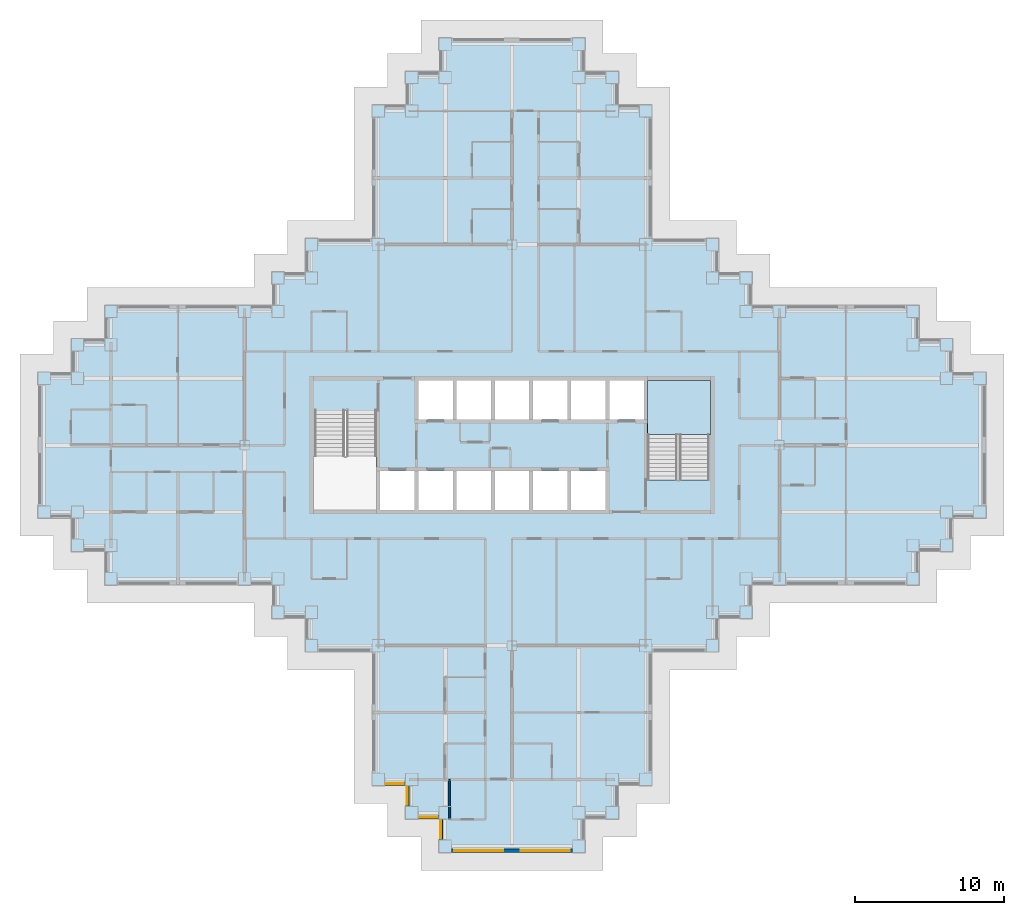
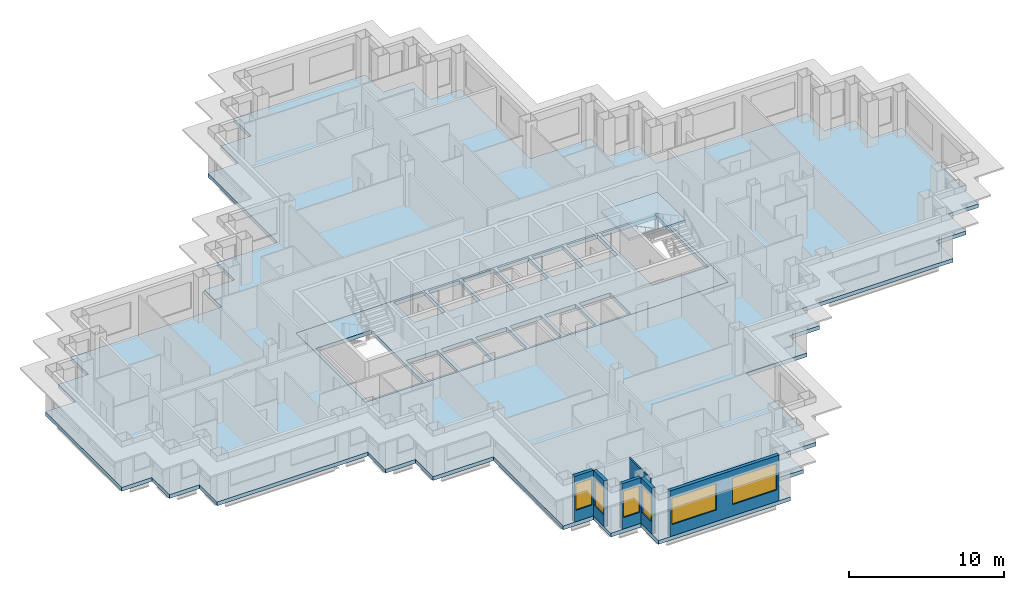
# One storey, part 3 of 16: 6 walls, 6 windows, 3 slabs, 6 openings, 1 element without a shape of its own.
"""IFC4 building model written with IfcOpenShell, lengths in metres."""

from ifc_helpers import new_model, si_unit, direction, frame, frame_2d, origin, place, context, subcontext, project, spatial, polyline, rectangle, outline, extrude, material, layer, layer_set, type_object, element, fill, aggregate, save


model = new_model("IFC4")

# Units and contexts
model_context = context("Model", 3, precision=1e-05, world=origin(), true_north=direction((0.0, 1.0)))
body_context = subcontext(model_context, "Body", "Model", "MODEL_VIEW")
ifc_project = project(units=[si_unit("LENGTHUNIT", "METRE"), si_unit("AREAUNIT", "SQUARE_METRE"), si_unit("VOLUMEUNIT", "CUBIC_METRE"), si_unit("PLANEANGLEUNIT", "RADIAN"), si_unit("MASSUNIT", "GRAM", prefix="KILO")], contexts=[model_context])

# Site, building, storey
site_placement = place(None, origin())
site = spatial("IfcSite", under=ifc_project, at=site_placement, CompositionType="ELEMENT")
building_placement = place(site_placement, origin())
building = spatial("IfcBuilding", under=site, at=building_placement, Name="Caravel Reach Hotel and Residences", CompositionType="ELEMENT")
storey_placement = place(building_placement, frame((0.0, 0.0, 133.199951171875)))
storey = spatial("IfcBuildingStorey", under=building, at=storey_placement, Name="L33", CompositionType="ELEMENT", Elevation=133.199951171875)

# Slab
ifc_material_1 = material(Name="Concrete C40", Category="concrete")
ifc_layer_1 = layer(ifc_material_1, 0.300048828125)
ifc_layer_set_1 = layer_set([ifc_layer_1], Name="Core floor slab 300 mm")
slab_type_1 = type_object("IfcSlabType", Name="Core floor slab 300 mm", PredefinedType="FLOOR", material=ifc_layer_set_1)
slab_1_placement = place(storey_placement, frame((0.0, 0.0, -0.300048828125)))
element("IfcSlab", 1, at=slab_1_placement, inside=storey, type_object=slab_type_1, Name="L33 core floor", PredefinedType="FLOOR", context=body_context, shape_type="SweptSolid", body=[
    extrude(outline(polyline([(18.0, 31.5), (45.0, 31.5), (45.0, 22.5), (18.0, 22.5), (18.0, 31.5)]), holes=[polyline([(22.625, 25.27490234375), (22.625, 22.64990234375), (24.9462890625, 22.64990234375), (24.9462890625, 25.27490234375), (22.625, 25.27490234375)]), polyline([(27.517822265625, 25.27490234375), (25.1962890625, 25.27490234375), (25.1962890625, 22.64990234375), (27.517822265625, 22.64990234375), (27.517822265625, 25.27490234375)]), polyline([(30.08935546875, 25.27490234375), (27.767822265625, 25.27490234375), (27.767822265625, 22.64990234375), (30.08935546875, 22.64990234375), (30.08935546875, 25.27490234375)]), polyline([(32.66064453125, 25.27490234375), (30.33935546875, 25.27490234375), (30.33935546875, 22.64990234375), (32.66064453125, 22.64990234375), (32.66064453125, 25.27490234375)]), polyline([(18.22509765625, 22.64990234375), (22.375, 22.64990234375), (22.375, 29.35009765625), (18.22509765625, 29.35009765625), (18.22509765625, 22.64990234375)]), polyline([(27.517822265625, 31.35009765625), (25.1962890625, 31.35009765625), (25.1962890625, 28.72509765625), (27.517822265625, 28.72509765625), (27.517822265625, 31.35009765625)]), polyline([(30.08935546875, 31.35009765625), (27.767822265625, 31.35009765625), (27.767822265625, 28.72509765625), (30.08935546875, 28.72509765625), (30.08935546875, 31.35009765625)]), polyline([(32.91064453125, 25.27490234375), (32.91064453125, 22.64990234375), (35.232177734375, 22.64990234375), (35.232177734375, 25.27490234375), (32.91064453125, 25.27490234375)]), polyline([(37.8037109375, 25.27490234375), (35.482177734375, 25.27490234375), (35.482177734375, 22.64990234375), (37.8037109375, 22.64990234375), (37.8037109375, 25.27490234375)]), polyline([(44.77490234375, 31.35009765625), (40.625, 31.35009765625), (40.625, 24.64990234375), (44.77490234375, 24.64990234375), (44.77490234375, 31.35009765625)]), polyline([(32.66064453125, 31.35009765625), (30.33935546875, 31.35009765625), (30.33935546875, 28.72509765625), (32.66064453125, 28.72509765625), (32.66064453125, 31.35009765625)]), polyline([(35.232177734375, 31.35009765625), (32.91064453125, 31.35009765625), (32.91064453125, 28.72509765625), (35.232177734375, 28.72509765625), (35.232177734375, 31.35009765625)]), polyline([(37.8037109375, 31.35009765625), (35.482177734375, 31.35009765625), (35.482177734375, 28.72509765625), (37.8037109375, 28.72509765625), (37.8037109375, 31.35009765625)]), polyline([(40.375, 31.35009765625), (38.0537109375, 31.35009765625), (38.0537109375, 28.72509765625), (40.375, 28.72509765625), (40.375, 31.35009765625)])]), origin(), (0.0, 0.0, 1.0), 0.300048828125),
])

# Stair, slab
ifc_material_2 = material(Name="Concrete C40", Category="concrete")
stair_type = type_object("IfcStairType", Name="Core stair", PredefinedType="HALF_TURN_STAIR", material=ifc_material_2)
stair_placement = place(storey_placement, origin())
stair = element("IfcStair", 2, at=stair_placement, inside=storey, type_object=stair_type, Name="L33 Exit stair B", PredefinedType="HALF_TURN_STAIR")
ifc_material_3 = material(Name="Concrete C40", Category="concrete")
ifc_layer_2 = layer(ifc_material_3, 0.199951171875)
ifc_layer_set_2 = layer_set([ifc_layer_2], Name="Core stair landing")
slab_type_2 = type_object("IfcSlabType", Name="Core stair landing", PredefinedType="LANDING", material=ifc_layer_set_2)
slab_2_placement = place(storey_placement, frame((0.0, 0.0, 1.60009765625)))
slab_2 = element("IfcSlab", 3, at=slab_2_placement, type_object=slab_type_2, Name="ST-B landing 1", PredefinedType="LANDING", context=body_context, shape_type="SweptSolid", body=[
    extrude(outline(polyline([(44.85009765625, 27.72998046875), (44.85009765625, 31.35009765625), (40.625, 31.35009765625), (40.625, 27.72998046875), (44.85009765625, 27.72998046875)])), origin(), (0.0, 0.0, 1.0), 0.199951171875),
])
aggregate(stair, [slab_2])

# Slab
ifc_material_4 = material(Name="Concrete C40 post-tensioned", Category="concrete")
ifc_layer_3 = layer(ifc_material_4, 0.300048828125)
ifc_layer_set_3 = layer_set([ifc_layer_3], Name="Floor slab 300")
slab_type_3 = type_object("IfcSlabType", Name="Floor slab 300", PredefinedType="FLOOR", material=ifc_layer_set_3)
slab_3_placement = place(storey_placement, frame((0.0, 0.0, -0.300048828125)))
element("IfcSlab", 4, at=slab_3_placement, inside=storey, type_object=slab_type_3, Name="S2 slab L33", PredefinedType="FLOOR", context=body_context, shape_type="SweptSolid", body=[
    extrude(outline(polyline([(17.574951171875, 13.074951171875), (17.574951171875, 15.324951171875), (15.324951171875, 15.324951171875), (15.324951171875, 17.574951171875), (4.074951171875, 17.574951171875), (4.074951171875, 19.824951171875), (1.824951171875, 19.824951171875), (1.824951171875, 22.074951171875), (-0.425048828125, 22.074951171875), (-0.425048828125, 31.925048828125), (1.824951171875, 31.925048828125), (1.824951171875, 34.175048828125), (4.074951171875, 34.175048828125), (4.074951171875, 36.425048828125), (15.324951171875, 36.425048828125), (15.324951171875, 38.675048828125), (17.574951171875, 38.675048828125), (17.574951171875, 40.925048828125), (22.074951171875, 40.925048828125), (22.074951171875, 49.925048828125), (24.324951171875, 49.925048828125), (24.324951171875, 52.175048828125), (26.574951171875, 52.175048828125), (26.574951171875, 54.425048828125), (36.425048828125, 54.425048828125), (36.425048828125, 52.175048828125), (38.675048828125, 52.175048828125), (38.675048828125, 49.925048828125), (40.925048828125, 49.925048828125), (40.925048828125, 40.925048828125), (45.425048828125, 40.925048828125), (45.425048828125, 38.675048828125), (47.675048828125, 38.675048828125), (47.675048828125, 36.425048828125), (58.925048828125, 36.425048828125), (58.925048828125, 34.175048828125), (61.175048828125, 34.175048828125), (61.175048828125, 31.925048828125), (63.425048828125, 31.925048828125), (63.425048828125, 22.074951171875), (61.175048828125, 22.074951171875), (61.175048828125, 19.824951171875), (58.925048828125, 19.824951171875), (58.925048828125, 17.574951171875), (47.675048828125, 17.574951171875), (47.675048828125, 15.324951171875), (45.425048828125, 15.324951171875), (45.425048828125, 13.074951171875), (40.925048828125, 13.074951171875), (40.925048828125, 4.074951171875), (38.675048828125, 4.074951171875), (38.675048828125, 1.824951171875), (36.425048828125, 1.824951171875), (36.425048828125, -0.425048828125), (26.574951171875, -0.425048828125), (26.574951171875, 1.824951171875), (24.324951171875, 1.824951171875), (24.324951171875, 4.074951171875), (22.074951171875, 4.074951171875), (22.074951171875, 13.074951171875), (17.574951171875, 13.074951171875)]), holes=[polyline([(45.0, 31.5), (18.0, 31.5), (18.0, 22.5), (45.0, 22.5), (45.0, 31.5)])]), origin(), (0.0, 0.0, 1.0), 0.300048828125),
])

# Wall
ifc_material_5 = material(Name="Gypsum board on steel stud", Category="steel")
ifc_layer_4 = layer(ifc_material_5, 0.10009765625)
ifc_layer_set_4 = layer_set([ifc_layer_4], Name="Bathroom pod wall 100 mm")
wall_type_1 = type_object("IfcWallType", Name="Bathroom pod wall 100 mm", PredefinedType="PARTITIONING", material=ifc_layer_set_4)
wall_1_placement = place(storey_placement, frame((27.300048828125, 1.800048828125, 0.0), z_axis=(0.0, 0.0, 1.0), x_axis=(0.0, 1.0, 0.0)))
element("IfcWall", 5, at=wall_1_placement, inside=storey, type_object=wall_type_1, Name="L33 wall w108", PredefinedType="PARTITIONING", context=body_context, shape_type="SweptSolid", body=[
    extrude(rectangle(XDim=2.699951171875, YDim=0.10009765625, at=frame_2d((1.35009765625, 0.0))), origin(), (0.0, 0.0, 1.0), 3.300048828125),
])

# Wall, opening, window
ifc_material_6 = material(Name="Insulated rainscreen wall, aluminium cladding", Category="aluminium")
ifc_layer_5 = layer(ifc_material_6, 0.25)
ifc_layer_set_5 = layer_set([ifc_layer_5], Name="EW1 Tower rainscreen wall")
wall_type_2 = type_object("IfcWallType", Name="EW1 Tower rainscreen wall", PredefinedType="SOLIDWALL", material=ifc_layer_set_5)
wall_2_placement = place(storey_placement, frame((22.925048828125, 4.199951171875, 0.0), z_axis=(0.0, 0.0, 1.0), x_axis=(1.0, 0.0, 0.0)))
wall_2 = element("IfcWall", 6, at=wall_2_placement, inside=storey, type_object=wall_type_2, Name="External wall L33 S1.1", PredefinedType="SOLIDWALL", context=body_context, shape_type="SweptSolid", body=[
    extrude(rectangle(XDim=1.39990234375, YDim=0.25, at=frame_2d((0.699951171875, 0.0))), origin(), (0.0, 0.0, 1.0), 3.60009765625),
])
opening_1_placement = place(wall_2_placement, frame((0.10009765625, 0.0, 0.89990234375)))
opening_1 = element("IfcOpeningElement", 7, at=opening_1_placement, cuts=wall_2, Name="Opening WN9", PredefinedType="OPENING", context=body_context, shape_type="SweptSolid", body=[
    extrude(rectangle(XDim=1.199951171875, YDim=2.080078125, at=frame_2d((0.60009765625, 1.0400390625))), frame((0.0, 0.135009765625, 0.0), z_axis=(0.0, -1.0, 0.0), x_axis=(1.0, 0.0, 0.0)), (0.0, 0.0, 1.0), 0.27001953125),
])
ifc_material_7 = material(Name="Dark low-e glazing in black aluminium frame", Category="aluminium")
window_type_1 = type_object("IfcWindowType", Name="Hotel suite corner window 1200 x 2080", PartitioningType="SINGLE_PANEL", PredefinedType="WINDOW", material=ifc_material_7)
window_1_placement = place(opening_1_placement, origin())
window_1 = element("IfcWindow", 8, at=window_1_placement, inside=storey, type_object=window_type_1, Name="Window L33 S1.1.1", OverallHeight=2.080078125, OverallWidth=1.199951171875, PartitioningType="SINGLE_PANEL", PredefinedType="WINDOW", context=body_context, shape_type="SweptSolid", body=[
    extrude(rectangle(XDim=1.199951171875, YDim=2.080078125, at=frame_2d((0.60009765625, 1.0400390625))), frame((0.0, 0.030029296875, 0.0), z_axis=(0.0, -1.0, 0.0), x_axis=(1.0, 0.0, 0.0)), (0.0, 0.0, 1.0), 0.06005859375),
])
fill(opening_1, window_1)

wall_3_placement = place(storey_placement, frame((24.449951171875, 4.074951171875, 0.0), z_axis=(0.0, 0.0, 1.0), x_axis=(0.0, -1.0, 0.0)))
wall_3 = element("IfcWall", 9, at=wall_3_placement, inside=storey, type_object=wall_type_2, Name="External wall L33 W2.1", PredefinedType="SOLIDWALL", context=body_context, shape_type="SweptSolid", body=[
    extrude(rectangle(XDim=1.39990234375, YDim=0.25, at=frame_2d((0.699951171875, 0.0))), origin(), (0.0, 0.0, 1.0), 3.60009765625),
])
opening_2_placement = place(wall_3_placement, frame((0.10009765625, 0.0, 0.89990234375)))
opening_2 = element("IfcOpeningElement", 10, at=opening_2_placement, cuts=wall_3, Name="Opening WN9", PredefinedType="OPENING", context=body_context, shape_type="SweptSolid", body=[
    extrude(rectangle(XDim=1.199951171875, YDim=2.080078125, at=frame_2d((0.60009765625, 1.0400390625))), frame((0.0, 0.135009765625, 0.0), z_axis=(0.0, -1.0, 0.0), x_axis=(1.0, 0.0, 0.0)), (0.0, 0.0, 1.0), 0.27001953125),
])
window_2_placement = place(opening_2_placement, origin())
window_2 = element("IfcWindow", 11, at=window_2_placement, inside=storey, type_object=window_type_1, Name="Window L33 W2.1.1", OverallHeight=2.080078125, OverallWidth=1.199951171875, PartitioningType="SINGLE_PANEL", PredefinedType="WINDOW", context=body_context, shape_type="SweptSolid", body=[
    extrude(rectangle(XDim=1.199951171875, YDim=2.080078125, at=frame_2d((0.60009765625, 1.0400390625))), frame((0.0, 0.030029296875, 0.0), z_axis=(0.0, -1.0, 0.0), x_axis=(1.0, 0.0, 0.0)), (0.0, 0.0, 1.0), 0.06005859375),
])
fill(opening_2, window_2)

wall_4_placement = place(storey_placement, frame((25.175048828125, 1.949951171875, 0.0), z_axis=(0.0, 0.0, 1.0), x_axis=(1.0, 0.0, 0.0)))
wall_4 = element("IfcWall", 12, at=wall_4_placement, inside=storey, type_object=wall_type_2, Name="External wall L33 S3.1", PredefinedType="SOLIDWALL", context=body_context, shape_type="SweptSolid", body=[
    extrude(rectangle(XDim=1.39990234375, YDim=0.25, at=frame_2d((0.699951171875, 0.0))), origin(), (0.0, 0.0, 1.0), 3.60009765625),
])
opening_3_placement = place(wall_4_placement, frame((0.10009765625, 0.0, 0.89990234375)))
opening_3 = element("IfcOpeningElement", 13, at=opening_3_placement, cuts=wall_4, Name="Opening WN9", PredefinedType="OPENING", context=body_context, shape_type="SweptSolid", body=[
    extrude(rectangle(XDim=1.199951171875, YDim=2.080078125, at=frame_2d((0.60009765625, 1.0400390625))), frame((0.0, 0.135009765625, 0.0), z_axis=(0.0, -1.0, 0.0), x_axis=(1.0, 0.0, 0.0)), (0.0, 0.0, 1.0), 0.27001953125),
])
window_3_placement = place(opening_3_placement, origin())
window_3 = element("IfcWindow", 14, at=window_3_placement, inside=storey, type_object=window_type_1, Name="Window L33 S3.1.1", OverallHeight=2.080078125, OverallWidth=1.199951171875, PartitioningType="SINGLE_PANEL", PredefinedType="WINDOW", context=body_context, shape_type="SweptSolid", body=[
    extrude(rectangle(XDim=1.199951171875, YDim=2.080078125, at=frame_2d((0.60009765625, 1.0400390625))), frame((0.0, 0.030029296875, 0.0), z_axis=(0.0, -1.0, 0.0), x_axis=(1.0, 0.0, 0.0)), (0.0, 0.0, 1.0), 0.06005859375),
])
fill(opening_3, window_3)

wall_5_placement = place(storey_placement, frame((26.699951171875, 1.824951171875, 0.0), z_axis=(0.0, 0.0, 1.0), x_axis=(0.0, -1.0, 0.0)))
wall_5 = element("IfcWall", 15, at=wall_5_placement, inside=storey, type_object=wall_type_2, Name="External wall L33 W4.1", PredefinedType="SOLIDWALL", context=body_context, shape_type="SweptSolid", body=[
    extrude(rectangle(XDim=1.39990234375, YDim=0.25, at=frame_2d((0.699951171875, 0.0))), origin(), (0.0, 0.0, 1.0), 3.60009765625),
])
opening_4_placement = place(wall_5_placement, frame((0.10009765625, 0.0, 0.89990234375)))
opening_4 = element("IfcOpeningElement", 16, at=opening_4_placement, cuts=wall_5, Name="Opening WN9", PredefinedType="OPENING", context=body_context, shape_type="SweptSolid", body=[
    extrude(rectangle(XDim=1.199951171875, YDim=2.080078125, at=frame_2d((0.60009765625, 1.0400390625))), frame((0.0, 0.135009765625, 0.0), z_axis=(0.0, -1.0, 0.0), x_axis=(1.0, 0.0, 0.0)), (0.0, 0.0, 1.0), 0.27001953125),
])
window_4_placement = place(opening_4_placement, origin())
window_4 = element("IfcWindow", 17, at=window_4_placement, inside=storey, type_object=window_type_1, Name="Window L33 W4.1.1", OverallHeight=2.080078125, OverallWidth=1.199951171875, PartitioningType="SINGLE_PANEL", PredefinedType="WINDOW", context=body_context, shape_type="SweptSolid", body=[
    extrude(rectangle(XDim=1.199951171875, YDim=2.080078125, at=frame_2d((0.60009765625, 1.0400390625))), frame((0.0, 0.030029296875, 0.0), z_axis=(0.0, -1.0, 0.0), x_axis=(1.0, 0.0, 0.0)), (0.0, 0.0, 1.0), 0.06005859375),
])
fill(opening_4, window_4)

# Wall, openings, windows
wall_6_placement = place(storey_placement, frame((27.425048828125, -0.300048828125, 0.0), z_axis=(0.0, 0.0, 1.0), x_axis=(1.0, 0.0, 0.0)))
wall_6 = element("IfcWall", 18, at=wall_6_placement, inside=storey, type_object=wall_type_2, Name="External wall L33 S5.1", PredefinedType="SOLIDWALL", context=body_context, shape_type="SweptSolid", body=[
    extrude(rectangle(XDim=8.14990234375, YDim=0.25, at=frame_2d((4.074951171875, 0.0))), origin(), (0.0, 0.0, 1.0), 3.60009765625),
])
opening_5_placement = place(wall_6_placement, frame((0.175048828125, 0.0, 0.89990234375)))
opening_5 = element("IfcOpeningElement", 19, at=opening_5_placement, cuts=wall_6, Name="Opening WN4", PredefinedType="OPENING", context=body_context, shape_type="SweptSolid", body=[
    extrude(rectangle(XDim=3.300048828125, YDim=2.080078125, at=frame_2d((1.64990234375, 1.0400390625))), frame((0.0, 0.135009765625, 0.0), z_axis=(0.0, -1.0, 0.0), x_axis=(1.0, 0.0, 0.0)), (0.0, 0.0, 1.0), 0.27001953125),
])
opening_6_placement = place(wall_6_placement, frame((4.675048828125, 0.0, 0.89990234375)))
opening_6 = element("IfcOpeningElement", 20, at=opening_6_placement, cuts=wall_6, Name="Opening WN4", PredefinedType="OPENING", context=body_context, shape_type="SweptSolid", body=[
    extrude(rectangle(XDim=3.300048828125, YDim=2.080078125, at=frame_2d((1.64990234375, 1.0400390625))), frame((0.0, 0.135009765625, 0.0), z_axis=(0.0, -1.0, 0.0), x_axis=(1.0, 0.0, 0.0)), (0.0, 0.0, 1.0), 0.27001953125),
])
ifc_material_8 = material(Name="Dark low-e glazing in black aluminium frame", Category="aluminium")
window_type_2 = type_object("IfcWindowType", Name="Hotel guest room window 3300 x 2080", PartitioningType="SINGLE_PANEL", PredefinedType="WINDOW", material=ifc_material_8)
window_5_placement = place(opening_5_placement, origin())
window_5 = element("IfcWindow", 21, at=window_5_placement, inside=storey, type_object=window_type_2, Name="Window L33 S5.1.1", OverallHeight=2.080078125, OverallWidth=3.300048828125, PartitioningType="SINGLE_PANEL", PredefinedType="WINDOW", context=body_context, shape_type="SweptSolid", body=[
    extrude(rectangle(XDim=3.300048828125, YDim=2.080078125, at=frame_2d((1.64990234375, 1.0400390625))), frame((0.0, 0.030029296875, 0.0), z_axis=(0.0, -1.0, 0.0), x_axis=(1.0, 0.0, 0.0)), (0.0, 0.0, 1.0), 0.06005859375),
])
fill(opening_5, window_5)
window_6_placement = place(opening_6_placement, origin())
window_6 = element("IfcWindow", 22, at=window_6_placement, inside=storey, type_object=window_type_2, Name="Window L33 S5.1.2", OverallHeight=2.080078125, OverallWidth=3.300048828125, PartitioningType="SINGLE_PANEL", PredefinedType="WINDOW", context=body_context, shape_type="SweptSolid", body=[
    extrude(rectangle(XDim=3.300048828125, YDim=2.080078125, at=frame_2d((1.64990234375, 1.0400390625))), frame((0.0, 0.030029296875, 0.0), z_axis=(0.0, -1.0, 0.0), x_axis=(1.0, 0.0, 0.0)), (0.0, 0.0, 1.0), 0.06005859375),
])
fill(opening_6, window_6)

save(model, "model.ifc")
